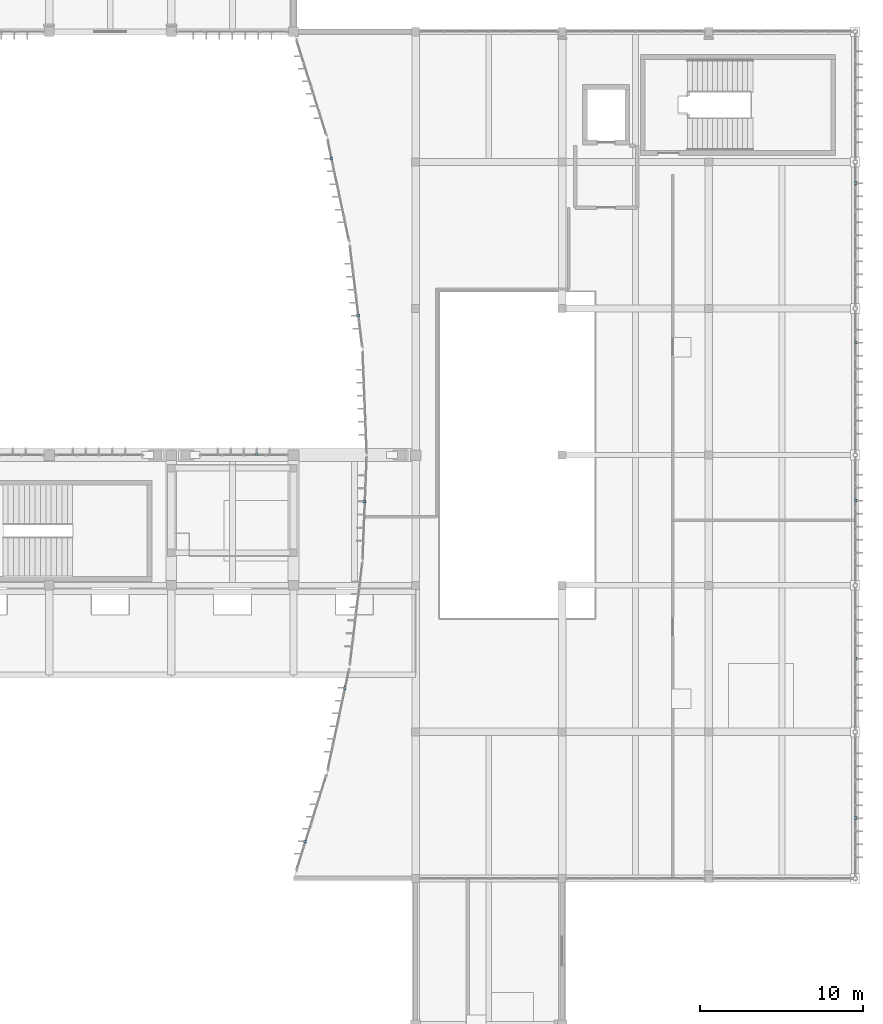
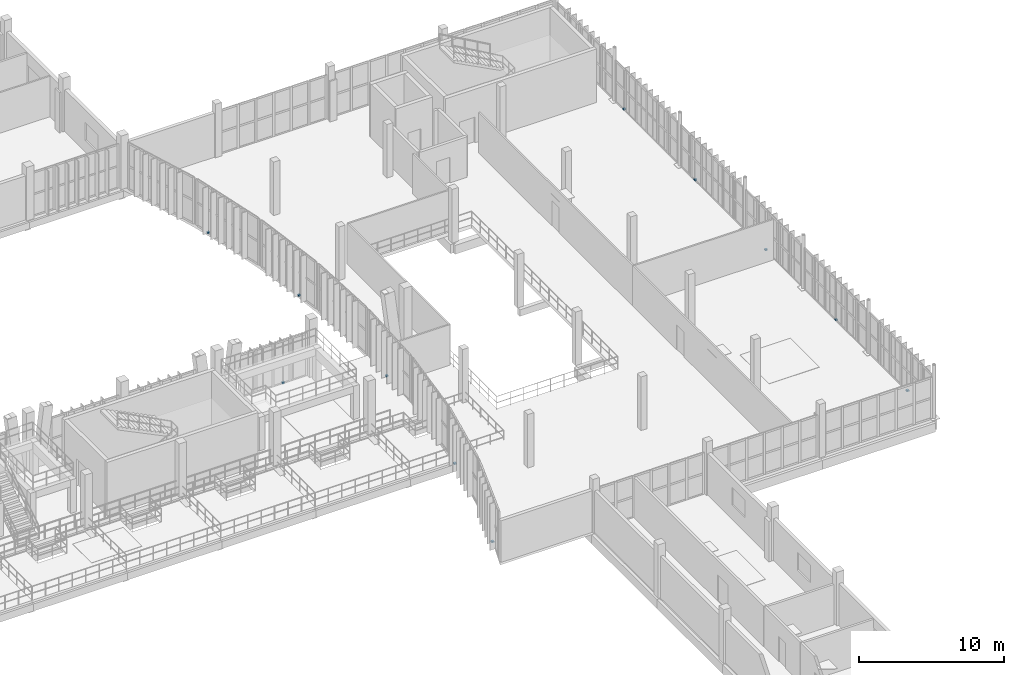
# One storey, part 64 of 81: 11 discrete accessories.
"""IFC4 building model written with IfcOpenShell, lengths in metres."""

from ifc_helpers import new_model, si_unit, direction, frame, origin, origin_2d, place, context, subcontext, project, spatial, rectangle, extrude, material, type_object, element, save


model = new_model("IFC4")

# Units and contexts
model_context = context("Model", 3, precision=1e-05, world=origin(), true_north=direction((0.0, 1.0)))
body_context = subcontext(model_context, "Body", "Model", "MODEL_VIEW")
ifc_project = project(units=[si_unit("LENGTHUNIT", "METRE"), si_unit("AREAUNIT", "SQUARE_METRE"), si_unit("VOLUMEUNIT", "CUBIC_METRE"), si_unit("PLANEANGLEUNIT", "RADIAN"), si_unit("MASSUNIT", "GRAM", prefix="KILO")], contexts=[model_context])

# Site, building, storey
site_placement = place(None, origin())
site = spatial("IfcSite", under=ifc_project, at=site_placement, CompositionType="ELEMENT")
building_placement = place(site_placement, origin())
building = spatial("IfcBuilding", under=site, at=building_placement, Name="Vourika Railside Aquatics Centre", CompositionType="ELEMENT")
storey_placement = place(building_placement, frame((0.0, 0.0, 4.800048828125)))
storey = spatial("IfcBuildingStorey", under=building, at=storey_placement, Name="L01", CompositionType="ELEMENT", Elevation=4.800048828125)

# Discrete accessories
ifc_material = material(Name="Duplex stainless steel EN 1.4462", Category="steel")
discrete_accessory_type = type_object("IfcDiscreteAccessoryType", Name="ACC-BRK-180", PredefinedType="BRACKET", material=ifc_material)
for number, where, z_axis, x_axis, name in (
    (1, (131.2451171875, 66.030029296875, 0.0), (0.0, 0.0, 1.0), (0.0, 1.0, 0.0), "Stainless Fin Shoe Bracket BK-029"),
    (2, (134.214599609375, 42.275390625, 0.0), (0.0, 0.0, 1.0), (-1.0, 0.0, 0.0), "Stainless Fin Shoe Bracket BK-041"),
    (3, (136.647216796875, 51.706298828125, 0.0), (0.0, 0.0, 1.0), (-1.0, 0.0, 0.0), "Stainless Fin Shoe Bracket BK-042"),
    (4, (137.861572265625, 63.149658203125, 0.0), (0.0, 0.0, 1.0), (-1.0, 0.0, 0.0), "Stainless Fin Shoe Bracket BK-043"),
    (5, (137.464111328125, 74.558837890625, 0.0), (0.0, 0.0, 1.0), (-1.0, 0.0, 0.0), "Stainless Fin Shoe Bracket BK-044"),
    (6, (135.81689453125, 84.206298828125, 0.0), (0.0, 0.0, 1.0), (-1.0, 0.0, 0.0), "Stainless Fin Shoe Bracket BK-045"),
    (7, (168.030029296875, 43.699951171875, 0.0), (0.0, 0.0, 1.0), (1.0, 0.0, 0.0), "Stainless Fin Shoe Bracket BK-046"),
    (8, (168.030029296875, 53.5, 0.0), (0.0, 0.0, 1.0), (1.0, 0.0, 0.0), "Stainless Fin Shoe Bracket BK-047"),
    (9, (168.030029296875, 63.199951171875, 0.0), (0.0, 0.0, 1.0), (1.0, 0.0, 0.0), "Stainless Fin Shoe Bracket BK-048"),
    (10, (168.030029296875, 72.89990234375, 0.0), (0.0, 0.0, 1.0), (1.0, 0.0, 0.0), "Stainless Fin Shoe Bracket BK-049"),
    (11, (168.030029296875, 82.699951171875, 0.0), (0.0, 0.0, 1.0), (1.0, 0.0, 0.0), "Stainless Fin Shoe Bracket BK-050"),
):
    element("IfcDiscreteAccessory", number, at=place(storey_placement, frame(where, z_axis=z_axis, x_axis=x_axis)), inside=storey, type_object=discrete_accessory_type, Name=name, PredefinedType="BRACKET", context=body_context, shape_type="SweptSolid", body=[
        extrude(rectangle(XDim=0.179931640625, YDim=0.179931640625, at=origin_2d()), origin(), (0.0, 0.0, 1.0), 0.1201171875),
    ])

save(model, "model.ifc")
